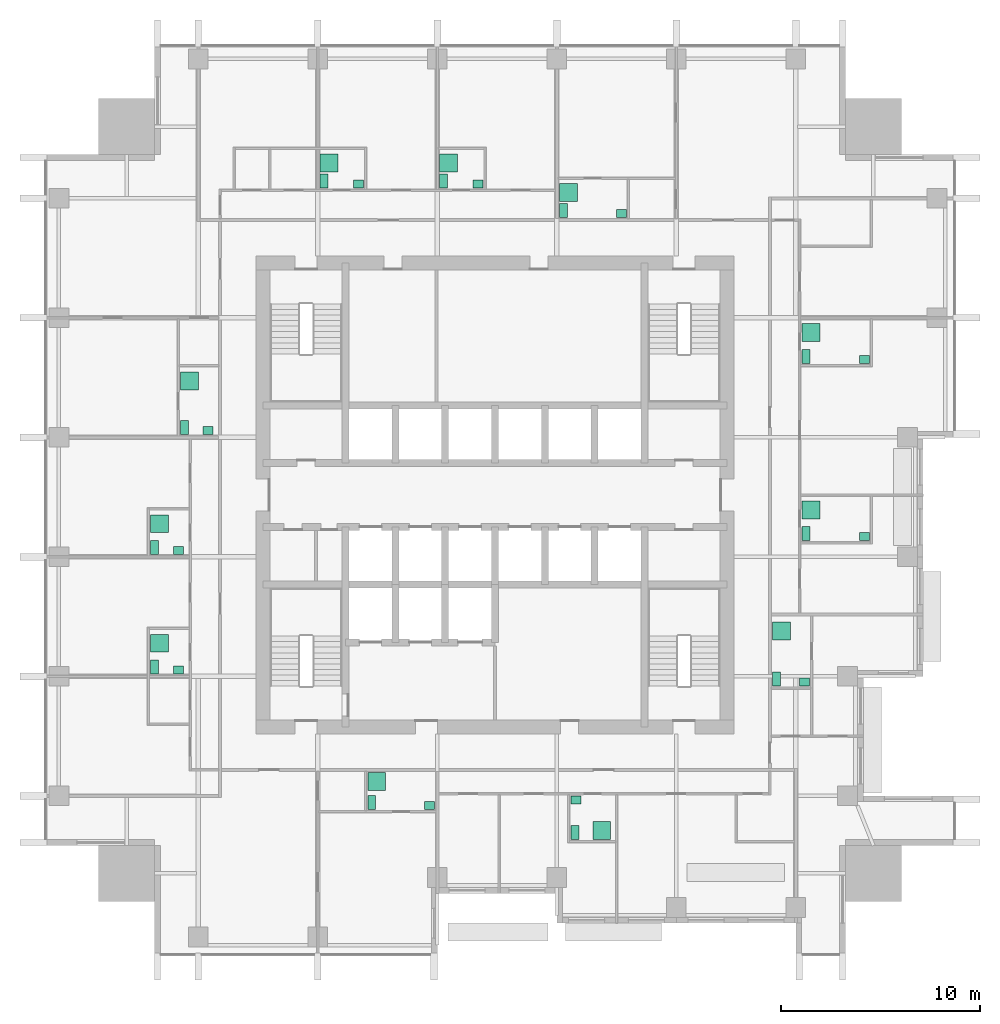
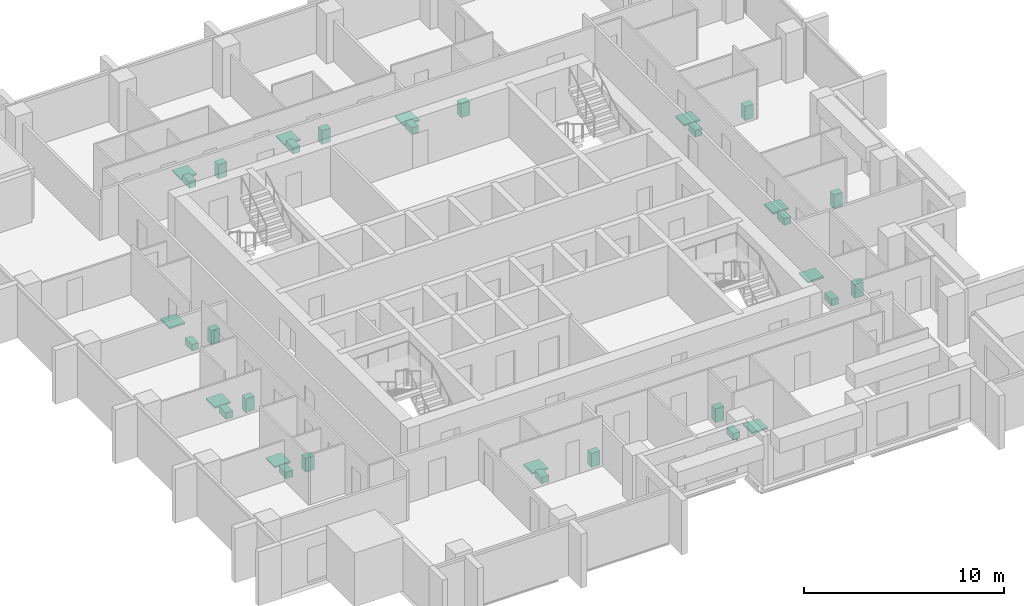
# One storey, part 10 of 10: 33 sanitary terminals.
"""IFC4 building model written with IfcOpenShell, lengths in metres."""

from ifc_helpers import new_model, si_unit, direction, frame, origin, origin_2d, place, context, subcontext, project, spatial, rectangle, extrude, element, save


model = new_model("IFC4")

# Units and contexts
model_context = context("Model", 3, precision=1e-05, world=origin(), true_north=direction((0.0, 1.0)))
body_context = subcontext(model_context, "Body", "Model", "MODEL_VIEW")
ifc_project = project(units=[si_unit("LENGTHUNIT", "METRE"), si_unit("AREAUNIT", "SQUARE_METRE"), si_unit("VOLUMEUNIT", "CUBIC_METRE"), si_unit("PLANEANGLEUNIT", "RADIAN"), si_unit("MASSUNIT", "GRAM", prefix="KILO")], contexts=[model_context])

# Site, building, storey
site_placement = place(None, origin())
site = spatial("IfcSite", under=ifc_project, at=site_placement, CompositionType="ELEMENT")
building_placement = place(site_placement, origin())
building = spatial("IfcBuilding", under=site, at=building_placement, Name="Amberfall Residences", CompositionType="ELEMENT")
storey_placement = place(building_placement, frame((0.0, 0.0, 140.5)))
storey = spatial("IfcBuildingStorey", under=building, at=storey_placement, Name="L37", CompositionType="ELEMENT", Elevation=140.5)

# Sanitary terminals
sanitary_terminal_1_placement = place(storey_placement, frame((68.31005859375, 30.06005859375, 0.0), z_axis=(0.0, 0.0, 1.0), x_axis=(1.0, 0.0, 0.0)))
element("IfcSanitaryTerminal", 1, at=sanitary_terminal_1_placement, inside=storey, Name="Water closet 3701", PredefinedType="TOILETPAN", context=body_context, shape_type="SweptSolid", body=[
    extrude(rectangle(XDim=0.39990234375, YDim=0.699951171875, at=origin_2d()), origin(), (0.0, 0.0, 1.0), 0.39990234375),
])
sanitary_terminal_2_placement = place(storey_placement, frame((71.215087890625, 29.909912109375, 0.0), z_axis=(0.0, 0.0, 1.0), x_axis=(1.0, 0.0, 0.0)))
element("IfcSanitaryTerminal", 2, at=sanitary_terminal_2_placement, inside=storey, Name="Basin 3701", PredefinedType="WASHHANDBASIN", context=body_context, shape_type="SweptSolid", body=[
    extrude(rectangle(XDim=0.5, YDim=0.39990234375, at=origin_2d()), origin(), (0.0, 0.0, 1.0), 0.85009765625),
])
sanitary_terminal_3_placement = place(storey_placement, frame((68.56005859375, 31.114990234375, 0.0), z_axis=(0.0, 0.0, 1.0), x_axis=(1.0, 0.0, 0.0)))
element("IfcSanitaryTerminal", 3, at=sanitary_terminal_3_placement, inside=storey, Name="Shower tray 3701", PredefinedType="SHOWER", context=body_context, shape_type="SweptSolid", body=[
    extrude(rectangle(XDim=0.89990234375, YDim=0.89990234375, at=origin_2d()), origin(), (0.0, 0.0, 1.0), 0.10009765625),
])
sanitary_terminal_4_placement = place(storey_placement, frame((78.510009765625, 28.56005859375, 0.0), z_axis=(0.0, 0.0, 1.0), x_axis=(1.0, 0.0, 0.0)))
element("IfcSanitaryTerminal", 4, at=sanitary_terminal_4_placement, inside=storey, Name="Water closet 3702", PredefinedType="TOILETPAN", context=body_context, shape_type="SweptSolid", body=[
    extrude(rectangle(XDim=0.39990234375, YDim=0.699951171875, at=origin_2d()), origin(), (0.0, 0.0, 1.0), 0.39990234375),
])
sanitary_terminal_5_placement = place(storey_placement, frame((78.56005859375, 30.18994140625, 0.0), z_axis=(0.0, 0.0, 1.0), x_axis=(1.0, 0.0, 0.0)))
element("IfcSanitaryTerminal", 5, at=sanitary_terminal_5_placement, inside=storey, Name="Basin 3702", PredefinedType="WASHHANDBASIN", context=body_context, shape_type="SweptSolid", body=[
    extrude(rectangle(XDim=0.5, YDim=0.39990234375, at=origin_2d()), origin(), (0.0, 0.0, 1.0), 0.85009765625),
])
sanitary_terminal_6_placement = place(storey_placement, frame((79.857177734375, 28.659912109375, 0.0), z_axis=(0.0, 0.0, 1.0), x_axis=(1.0, 0.0, 0.0)))
element("IfcSanitaryTerminal", 6, at=sanitary_terminal_6_placement, inside=storey, Name="Shower tray 3702", PredefinedType="SHOWER", context=body_context, shape_type="SweptSolid", body=[
    extrude(rectangle(XDim=0.89990234375, YDim=0.89990234375, at=origin_2d()), origin(), (0.0, 0.0, 1.0), 0.10009765625),
])
sanitary_terminal_7_placement = place(storey_placement, frame((88.635009765625, 36.260009765625, 0.0), z_axis=(0.0, 0.0, 1.0), x_axis=(1.0, 0.0, 0.0)))
element("IfcSanitaryTerminal", 7, at=sanitary_terminal_7_placement, inside=storey, Name="Water closet 3703", PredefinedType="TOILETPAN", context=body_context, shape_type="SweptSolid", body=[
    extrude(rectangle(XDim=0.39990234375, YDim=0.699951171875, at=origin_2d()), origin(), (0.0, 0.0, 1.0), 0.39990234375),
])
sanitary_terminal_8_placement = place(storey_placement, frame((90.0400390625, 36.110107421875, 0.0), z_axis=(0.0, 0.0, 1.0), x_axis=(1.0, 0.0, 0.0)))
element("IfcSanitaryTerminal", 8, at=sanitary_terminal_8_placement, inside=storey, Name="Basin 3703", PredefinedType="WASHHANDBASIN", context=body_context, shape_type="SweptSolid", body=[
    extrude(rectangle(XDim=0.5, YDim=0.39990234375, at=origin_2d()), origin(), (0.0, 0.0, 1.0), 0.85009765625),
])
sanitary_terminal_9_placement = place(storey_placement, frame((88.885009765625, 38.6826171875, 0.0), z_axis=(0.0, 0.0, 1.0), x_axis=(1.0, 0.0, 0.0)))
element("IfcSanitaryTerminal", 9, at=sanitary_terminal_9_placement, inside=storey, Name="Shower tray 3703", PredefinedType="SHOWER", context=body_context, shape_type="SweptSolid", body=[
    extrude(rectangle(XDim=0.89990234375, YDim=0.89990234375, at=origin_2d()), origin(), (0.0, 0.0, 1.0), 0.10009765625),
])
sanitary_terminal_10_placement = place(storey_placement, frame((90.110107421875, 43.56005859375, 0.0), z_axis=(0.0, 0.0, 1.0), x_axis=(1.0, 0.0, 0.0)))
element("IfcSanitaryTerminal", 10, at=sanitary_terminal_10_placement, inside=storey, Name="Water closet 3704", PredefinedType="TOILETPAN", context=body_context, shape_type="SweptSolid", body=[
    extrude(rectangle(XDim=0.39990234375, YDim=0.699951171875, at=origin_2d()), origin(), (0.0, 0.0, 1.0), 0.39990234375),
])
sanitary_terminal_11_placement = place(storey_placement, frame((93.0400390625, 43.409912109375, 0.0), z_axis=(0.0, 0.0, 1.0), x_axis=(1.0, 0.0, 0.0)))
element("IfcSanitaryTerminal", 11, at=sanitary_terminal_11_placement, inside=storey, Name="Basin 3704", PredefinedType="WASHHANDBASIN", context=body_context, shape_type="SweptSolid", body=[
    extrude(rectangle(XDim=0.5, YDim=0.39990234375, at=origin_2d()), origin(), (0.0, 0.0, 1.0), 0.85009765625),
])
sanitary_terminal_12_placement = place(storey_placement, frame((90.360107421875, 44.757080078125, 0.0), z_axis=(0.0, 0.0, 1.0), x_axis=(1.0, 0.0, 0.0)))
element("IfcSanitaryTerminal", 12, at=sanitary_terminal_12_placement, inside=storey, Name="Shower tray 3704", PredefinedType="SHOWER", context=body_context, shape_type="SweptSolid", body=[
    extrude(rectangle(XDim=0.89990234375, YDim=0.89990234375, at=origin_2d()), origin(), (0.0, 0.0, 1.0), 0.10009765625),
])
sanitary_terminal_13_placement = place(storey_placement, frame((90.110107421875, 52.4599609375, 0.0), z_axis=(0.0, 0.0, 1.0), x_axis=(1.0, 0.0, 0.0)))
element("IfcSanitaryTerminal", 13, at=sanitary_terminal_13_placement, inside=storey, Name="Water closet 3704", PredefinedType="TOILETPAN", context=body_context, shape_type="SweptSolid", body=[
    extrude(rectangle(XDim=0.39990234375, YDim=0.699951171875, at=origin_2d()), origin(), (0.0, 0.0, 1.0), 0.39990234375),
])
sanitary_terminal_14_placement = place(storey_placement, frame((93.0400390625, 52.31005859375, 0.0), z_axis=(0.0, 0.0, 1.0), x_axis=(1.0, 0.0, 0.0)))
element("IfcSanitaryTerminal", 14, at=sanitary_terminal_14_placement, inside=storey, Name="Basin 3704", PredefinedType="WASHHANDBASIN", context=body_context, shape_type="SweptSolid", body=[
    extrude(rectangle(XDim=0.5, YDim=0.39990234375, at=origin_2d()), origin(), (0.0, 0.0, 1.0), 0.85009765625),
])
sanitary_terminal_15_placement = place(storey_placement, frame((90.360107421875, 53.6572265625, 0.0), z_axis=(0.0, 0.0, 1.0), x_axis=(1.0, 0.0, 0.0)))
element("IfcSanitaryTerminal", 15, at=sanitary_terminal_15_placement, inside=storey, Name="Shower tray 3704", PredefinedType="SHOWER", context=body_context, shape_type="SweptSolid", body=[
    extrude(rectangle(XDim=0.89990234375, YDim=0.89990234375, at=origin_2d()), origin(), (0.0, 0.0, 1.0), 0.10009765625),
])
sanitary_terminal_16_placement = place(storey_placement, frame((65.909912109375, 61.260009765625, 0.0), z_axis=(0.0, 0.0, 1.0), x_axis=(1.0, 0.0, 0.0)))
element("IfcSanitaryTerminal", 16, at=sanitary_terminal_16_placement, inside=storey, Name="Water closet 3705", PredefinedType="TOILETPAN", context=body_context, shape_type="SweptSolid", body=[
    extrude(rectangle(XDim=0.39990234375, YDim=0.699951171875, at=origin_2d()), origin(), (0.0, 0.0, 1.0), 0.39990234375),
])
sanitary_terminal_17_placement = place(storey_placement, frame((67.639892578125, 61.110107421875, 0.0), z_axis=(0.0, 0.0, 1.0), x_axis=(1.0, 0.0, 0.0)))
element("IfcSanitaryTerminal", 17, at=sanitary_terminal_17_placement, inside=storey, Name="Basin 3705", PredefinedType="WASHHANDBASIN", context=body_context, shape_type="SweptSolid", body=[
    extrude(rectangle(XDim=0.5, YDim=0.39990234375, at=origin_2d()), origin(), (0.0, 0.0, 1.0), 0.85009765625),
])
sanitary_terminal_18_placement = place(storey_placement, frame((66.159912109375, 62.1767578125, 0.0), z_axis=(0.0, 0.0, 1.0), x_axis=(1.0, 0.0, 0.0)))
element("IfcSanitaryTerminal", 18, at=sanitary_terminal_18_placement, inside=storey, Name="Shower tray 3705", PredefinedType="SHOWER", context=body_context, shape_type="SweptSolid", body=[
    extrude(rectangle(XDim=0.89990234375, YDim=0.89990234375, at=origin_2d()), origin(), (0.0, 0.0, 1.0), 0.10009765625),
])
sanitary_terminal_19_placement = place(storey_placement, frame((71.909912109375, 61.260009765625, 0.0), z_axis=(0.0, 0.0, 1.0), x_axis=(1.0, 0.0, 0.0)))
element("IfcSanitaryTerminal", 19, at=sanitary_terminal_19_placement, inside=storey, Name="Water closet 3705", PredefinedType="TOILETPAN", context=body_context, shape_type="SweptSolid", body=[
    extrude(rectangle(XDim=0.39990234375, YDim=0.699951171875, at=origin_2d()), origin(), (0.0, 0.0, 1.0), 0.39990234375),
])
sanitary_terminal_20_placement = place(storey_placement, frame((73.639892578125, 61.110107421875, 0.0), z_axis=(0.0, 0.0, 1.0), x_axis=(1.0, 0.0, 0.0)))
element("IfcSanitaryTerminal", 20, at=sanitary_terminal_20_placement, inside=storey, Name="Basin 3705", PredefinedType="WASHHANDBASIN", context=body_context, shape_type="SweptSolid", body=[
    extrude(rectangle(XDim=0.5, YDim=0.39990234375, at=origin_2d()), origin(), (0.0, 0.0, 1.0), 0.85009765625),
])
sanitary_terminal_21_placement = place(storey_placement, frame((72.159912109375, 62.1767578125, 0.0), z_axis=(0.0, 0.0, 1.0), x_axis=(1.0, 0.0, 0.0)))
element("IfcSanitaryTerminal", 21, at=sanitary_terminal_21_placement, inside=storey, Name="Shower tray 3705", PredefinedType="SHOWER", context=body_context, shape_type="SweptSolid", body=[
    extrude(rectangle(XDim=0.89990234375, YDim=0.89990234375, at=origin_2d()), origin(), (0.0, 0.0, 1.0), 0.10009765625),
])
sanitary_terminal_22_placement = place(storey_placement, frame((77.93505859375, 59.784912109375, 0.0), z_axis=(0.0, 0.0, 1.0), x_axis=(1.0, 0.0, 0.0)))
element("IfcSanitaryTerminal", 22, at=sanitary_terminal_22_placement, inside=storey, Name="Water closet 3706", PredefinedType="TOILETPAN", context=body_context, shape_type="SweptSolid", body=[
    extrude(rectangle(XDim=0.39990234375, YDim=0.699951171875, at=origin_2d()), origin(), (0.0, 0.0, 1.0), 0.39990234375),
])
sanitary_terminal_23_placement = place(storey_placement, frame((80.840087890625, 59.635009765625, 0.0), z_axis=(0.0, 0.0, 1.0), x_axis=(1.0, 0.0, 0.0)))
element("IfcSanitaryTerminal", 23, at=sanitary_terminal_23_placement, inside=storey, Name="Basin 3706", PredefinedType="WASHHANDBASIN", context=body_context, shape_type="SweptSolid", body=[
    extrude(rectangle(XDim=0.5, YDim=0.39990234375, at=origin_2d()), origin(), (0.0, 0.0, 1.0), 0.85009765625),
])
sanitary_terminal_24_placement = place(storey_placement, frame((78.18505859375, 60.680908203125, 0.0), z_axis=(0.0, 0.0, 1.0), x_axis=(1.0, 0.0, 0.0)))
element("IfcSanitaryTerminal", 24, at=sanitary_terminal_24_placement, inside=storey, Name="Shower tray 3706", PredefinedType="SHOWER", context=body_context, shape_type="SweptSolid", body=[
    extrude(rectangle(XDim=0.89990234375, YDim=0.89990234375, at=origin_2d()), origin(), (0.0, 0.0, 1.0), 0.10009765625),
])
sanitary_terminal_25_placement = place(storey_placement, frame((57.409912109375, 36.860107421875, 0.0), z_axis=(0.0, 0.0, 1.0), x_axis=(1.0, 0.0, 0.0)))
element("IfcSanitaryTerminal", 25, at=sanitary_terminal_25_placement, inside=storey, Name="Water closet 3707", PredefinedType="TOILETPAN", context=body_context, shape_type="SweptSolid", body=[
    extrude(rectangle(XDim=0.39990234375, YDim=0.699951171875, at=origin_2d()), origin(), (0.0, 0.0, 1.0), 0.39990234375),
])
sanitary_terminal_26_placement = place(storey_placement, frame((58.610107421875, 36.7099609375, 0.0), z_axis=(0.0, 0.0, 1.0), x_axis=(1.0, 0.0, 0.0)))
element("IfcSanitaryTerminal", 26, at=sanitary_terminal_26_placement, inside=storey, Name="Basin 3707", PredefinedType="WASHHANDBASIN", context=body_context, shape_type="SweptSolid", body=[
    extrude(rectangle(XDim=0.5, YDim=0.39990234375, at=origin_2d()), origin(), (0.0, 0.0, 1.0), 0.85009765625),
])
sanitary_terminal_27_placement = place(storey_placement, frame((57.659912109375, 38.05712890625, 0.0), z_axis=(0.0, 0.0, 1.0), x_axis=(1.0, 0.0, 0.0)))
element("IfcSanitaryTerminal", 27, at=sanitary_terminal_27_placement, inside=storey, Name="Shower tray 3707", PredefinedType="SHOWER", context=body_context, shape_type="SweptSolid", body=[
    extrude(rectangle(XDim=0.89990234375, YDim=0.89990234375, at=origin_2d()), origin(), (0.0, 0.0, 1.0), 0.10009765625),
])
sanitary_terminal_28_placement = place(storey_placement, frame((57.409912109375, 42.860107421875, 0.0), z_axis=(0.0, 0.0, 1.0), x_axis=(1.0, 0.0, 0.0)))
element("IfcSanitaryTerminal", 28, at=sanitary_terminal_28_placement, inside=storey, Name="Water closet 3707", PredefinedType="TOILETPAN", context=body_context, shape_type="SweptSolid", body=[
    extrude(rectangle(XDim=0.39990234375, YDim=0.699951171875, at=origin_2d()), origin(), (0.0, 0.0, 1.0), 0.39990234375),
])
sanitary_terminal_29_placement = place(storey_placement, frame((58.610107421875, 42.7099609375, 0.0), z_axis=(0.0, 0.0, 1.0), x_axis=(1.0, 0.0, 0.0)))
element("IfcSanitaryTerminal", 29, at=sanitary_terminal_29_placement, inside=storey, Name="Basin 3707", PredefinedType="WASHHANDBASIN", context=body_context, shape_type="SweptSolid", body=[
    extrude(rectangle(XDim=0.5, YDim=0.39990234375, at=origin_2d()), origin(), (0.0, 0.0, 1.0), 0.85009765625),
])
sanitary_terminal_30_placement = place(storey_placement, frame((57.659912109375, 44.05712890625, 0.0), z_axis=(0.0, 0.0, 1.0), x_axis=(1.0, 0.0, 0.0)))
element("IfcSanitaryTerminal", 30, at=sanitary_terminal_30_placement, inside=storey, Name="Shower tray 3707", PredefinedType="SHOWER", context=body_context, shape_type="SweptSolid", body=[
    extrude(rectangle(XDim=0.89990234375, YDim=0.89990234375, at=origin_2d()), origin(), (0.0, 0.0, 1.0), 0.10009765625),
])
sanitary_terminal_31_placement = place(storey_placement, frame((58.909912109375, 48.885009765625, 0.0), z_axis=(0.0, 0.0, 1.0), x_axis=(1.0, 0.0, 0.0)))
element("IfcSanitaryTerminal", 31, at=sanitary_terminal_31_placement, inside=storey, Name="Water closet 3708", PredefinedType="TOILETPAN", context=body_context, shape_type="SweptSolid", body=[
    extrude(rectangle(XDim=0.39990234375, YDim=0.699951171875, at=origin_2d()), origin(), (0.0, 0.0, 1.0), 0.39990234375),
])
sanitary_terminal_32_placement = place(storey_placement, frame((60.089111328125, 48.735107421875, 0.0), z_axis=(0.0, 0.0, 1.0), x_axis=(1.0, 0.0, 0.0)))
element("IfcSanitaryTerminal", 32, at=sanitary_terminal_32_placement, inside=storey, Name="Basin 3708", PredefinedType="WASHHANDBASIN", context=body_context, shape_type="SweptSolid", body=[
    extrude(rectangle(XDim=0.5, YDim=0.39990234375, at=origin_2d()), origin(), (0.0, 0.0, 1.0), 0.85009765625),
])
sanitary_terminal_33_placement = place(storey_placement, frame((59.159912109375, 51.216796875, 0.0), z_axis=(0.0, 0.0, 1.0), x_axis=(1.0, 0.0, 0.0)))
element("IfcSanitaryTerminal", 33, at=sanitary_terminal_33_placement, inside=storey, Name="Shower tray 3708", PredefinedType="SHOWER", context=body_context, shape_type="SweptSolid", body=[
    extrude(rectangle(XDim=0.89990234375, YDim=0.89990234375, at=origin_2d()), origin(), (0.0, 0.0, 1.0), 0.10009765625),
])

save(model, "model.ifc")
